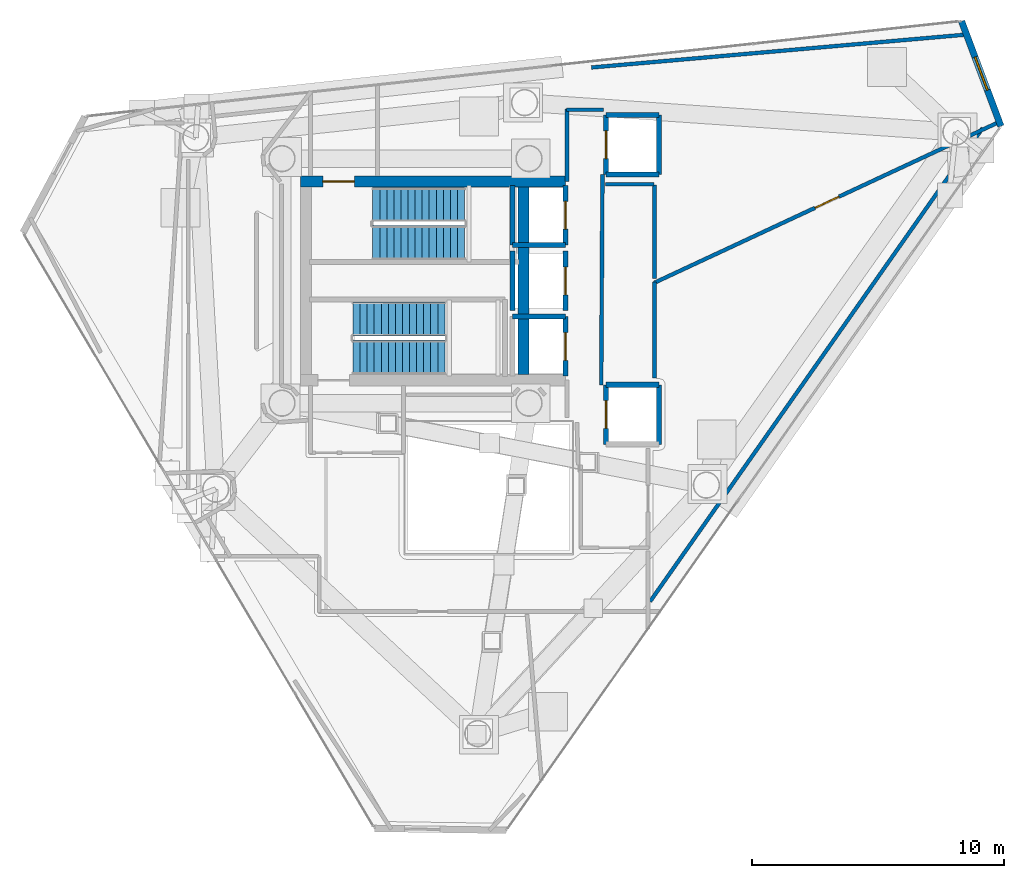
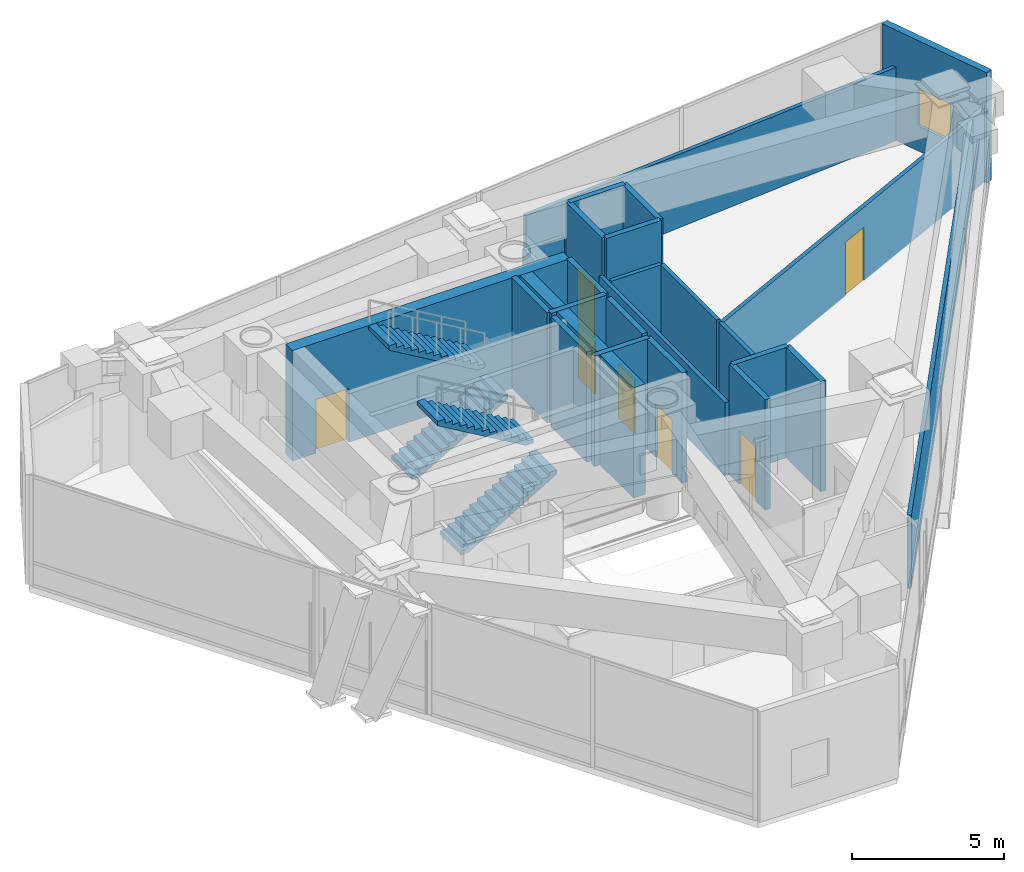
# One storey, part 19 of 21: 26 walls, 7 doors, 4 stair flights, 1 window, 8 openings, 2 elements without a shape of their own.
"""IFC4 building model written with IfcOpenShell, lengths in metres."""

from ifc_helpers import new_model, si_unit, direction, frame, frame_2d, origin, place, context, subcontext, project, spatial, polyline, rectangle, outline, extrude, material, layer, layer_set, type_object, element, fill, aggregate, save


model = new_model("IFC4")

# Units and contexts
model_context = context("Model", 3, precision=1e-05, world=origin(), true_north=direction((0.0, 1.0)))
body_context = subcontext(model_context, "Body", "Model", "MODEL_VIEW")
ifc_project = project(units=[si_unit("LENGTHUNIT", "METRE"), si_unit("AREAUNIT", "SQUARE_METRE"), si_unit("VOLUMEUNIT", "CUBIC_METRE"), si_unit("PLANEANGLEUNIT", "RADIAN"), si_unit("MASSUNIT", "GRAM", prefix="KILO")], contexts=[model_context])

# Site, building, storey
site_placement = place(None, origin())
site = spatial("IfcSite", under=ifc_project, at=site_placement, CompositionType="ELEMENT")
building_placement = place(site_placement, origin())
building = spatial("IfcBuilding", under=site, at=building_placement, Name="Qianvela Tower", CompositionType="ELEMENT")
storey_placement = place(building_placement, frame((0.0, 0.0, 276.0)))
storey = spatial("IfcBuildingStorey", under=building, at=storey_placement, Name="L71", CompositionType="ELEMENT", Elevation=276.0)

# Wall, opening, window
ifc_material_1 = material(Name="Terracotta Cladding on Concrete C40", Category="masonry")
ifc_layer_1 = layer(ifc_material_1, 0.260009765625)
ifc_layer_set_1 = layer_set([ifc_layer_1], Name="Terracotta Cladding on Concrete C40")
wall_type_1 = type_object("IfcWallType", Name="TERRACOTTA-WALL-260", PredefinedType="SOLIDWALL", material=ifc_layer_set_1)
wall_1_placement = place(storey_placement, frame((57.119873046875, 34.835693359375, 0.0), z_axis=(0.0, 0.0, 1.0), x_axis=(-0.350828926288, 0.93643956798, 0.0)))
wall_1 = element("IfcWall", 1, at=wall_1_placement, inside=storey, type_object=wall_type_1, Name="L71 Terracotta Chamfer Facet Wall 1", PredefinedType="SOLIDWALL", context=body_context, shape_type="SweptSolid", body=[
    extrude(rectangle(XDim=4.45166015625, YDim=0.260009765625, at=frame_2d((2.225830078125, 0.0))), origin(), (0.0, 0.0, 1.0), 4.419921875),
])
opening_1_placement = place(wall_1_placement, frame((1.52587890625, 0.0, 1.0)))
opening_1 = element("IfcOpeningElement", 2, at=opening_1_placement, cuts=wall_1, Name="Opening W-06", PredefinedType="OPENING", context=body_context, shape_type="SweptSolid", body=[
    extrude(rectangle(XDim=1.39990234375, YDim=1.5, at=frame_2d((0.699951171875, 0.75))), frame((0.0, 0.139892578125, 0.0), z_axis=(0.0, -1.0, 0.0), x_axis=(1.0, 0.0, 0.0)), (0.0, 0.0, 1.0), 0.280029296875),
])
ifc_material_2 = material(Name="Thermally Broken Aluminium and Low-E Glass", Category="aluminium")
window_type = type_object("IfcWindowType", Name="WIN-REF-1400x1500", PartitioningType="SINGLE_PANEL", PredefinedType="WINDOW", material=ifc_material_2)
window_placement = place(opening_1_placement, origin())
window = element("IfcWindow", 3, at=window_placement, inside=storey, type_object=window_type, Name="L71 Chamfer Facet Window 1.1", OverallHeight=1.5, OverallWidth=1.39990234375, PartitioningType="SINGLE_PANEL", PredefinedType="WINDOW", context=body_context, shape_type="SweptSolid", body=[
    extrude(rectangle(XDim=1.39990234375, YDim=1.5, at=frame_2d((0.699951171875, 0.75))), frame((0.0, 0.030029296875, 0.0), z_axis=(0.0, -1.0, 0.0), x_axis=(1.0, 0.0, 0.0)), (0.0, 0.0, 1.0), 0.06005859375),
])
fill(opening_1, window)

# Wall, opening, door
ifc_material_3 = material(Name="Concrete C50", Category="concrete")
ifc_layer_2 = layer(ifc_material_3, 0.449951171875)
ifc_layer_set_2 = layer_set([ifc_layer_2], Name="Concrete C50")
wall_type_2 = type_object("IfcWallType", Name="WT-CORE-450", PredefinedType="SHEAR", material=ifc_layer_set_2)
wall_2_placement = place(storey_placement, frame((29.330078125, 32.64501953125, 0.0), z_axis=(0.0, 0.0, 1.0), x_axis=(1.0, 0.0, 0.0)))
wall_2 = element("IfcWall", 4, at=wall_2_placement, inside=storey, type_object=wall_type_2, Name="L71 North Core Shear Wall", PredefinedType="SHEAR", context=body_context, shape_type="SweptSolid", body=[
    extrude(rectangle(XDim=10.52001953125, YDim=0.449951171875, at=frame_2d((5.260009765625, 0.0))), origin(), (0.0, 0.0, 1.0), 4.419921875),
])
opening_2_placement = place(wall_2_placement, frame((0.89501953125, 0.0, 0.0)))
opening_2 = element("IfcOpeningElement", 5, at=opening_2_placement, cuts=wall_2, Name="Opening D-ST1", PredefinedType="OPENING", context=body_context, shape_type="SweptSolid", body=[
    extrude(rectangle(XDim=1.25, YDim=2.14990234375, at=frame_2d((0.625, 1.074951171875))), frame((0.0, 0.23486328125, 0.0), z_axis=(0.0, -1.0, 0.0), x_axis=(1.0, 0.0, 0.0)), (0.0, 0.0, 1.0), 0.469970703125),
])
ifc_material_4 = material(Name="Galvanised Fire Steel Q355B", Category="steel")
door_type_1 = type_object("IfcDoorType", Name="DT-STAIR-FD90", OperationType="NOTDEFINED", PredefinedType="DOOR", material=ifc_material_4)
door_1_placement = place(opening_2_placement, origin())
door_1 = element("IfcDoor", 6, at=door_1_placement, inside=storey, type_object=door_type_1, Name="L71 Stair ST-1 Exit Door", OperationType="SINGLE_SWING_RIGHT", OverallHeight=2.14990234375, OverallWidth=1.25, PredefinedType="DOOR", context=body_context, shape_type="SweptSolid", body=[
    extrude(rectangle(XDim=1.25, YDim=2.14990234375, at=frame_2d((0.625, 1.074951171875))), frame((0.0, 0.02490234375, 0.0), z_axis=(0.0, -1.0, 0.0), x_axis=(1.0, 0.0, 0.0)), (0.0, 0.0, 1.0), 0.050048828125),
])
fill(opening_2, door_1)

# Walls
wall_3_placement = place(storey_placement, frame((38.179931640625, 24.97998046875, 0.0), z_axis=(0.0, 0.0, 1.0), x_axis=(0.0, 1.0, 0.0)))
element("IfcWall", 7, at=wall_3_placement, inside=storey, type_object=wall_type_2, Name="L71 East Spine Core Shear Wall", PredefinedType="SHEAR", context=body_context, shape_type="SweptSolid", body=[
    extrude(rectangle(XDim=7.43994140625, YDim=0.449951171875, at=frame_2d((3.719970703125, 0.0))), origin(), (0.0, 0.0, 1.0), 4.419921875),
])
ifc_material_5 = material(Name="Fire-Rated Acoustic Gypsum Board")
ifc_layer_3 = layer(ifc_material_5, 0.14990234375)
ifc_layer_set_3 = layer_set([ifc_layer_3], Name="Fire-Rated Acoustic Gypsum Board")
wall_type_3 = type_object("IfcWallType", Name="WT-CORR-150", PredefinedType="PARTITIONING", material=ifc_layer_set_3)
wall_4_placement = place(storey_placement, frame((39.910888671875, 32.639892578125, 0.0), z_axis=(0.0, 0.0, 1.0), x_axis=(0.0, 1.0, 0.0)))
element("IfcWall", 8, at=wall_4_placement, inside=storey, type_object=wall_type_3, Name="L71 Partition 12", PredefinedType="PARTITIONING", context=body_context, shape_type="SweptSolid", body=[
    extrude(rectangle(XDim=2.880126953125, YDim=0.14990234375, at=frame_2d((1.43994140625, 0.0))), origin(), (0.0, 0.0, 1.0), 2.93994140625),
])
wall_5_placement = place(storey_placement, frame((39.8798828125, 35.489013671875, 0.0), z_axis=(0.0, 0.0, 1.0), x_axis=(1.0, 0.0, 0.0)))
element("IfcWall", 9, at=wall_5_placement, inside=storey, type_object=wall_type_3, Name="L71 Partition 13", PredefinedType="PARTITIONING", context=body_context, shape_type="SweptSolid", body=[
    extrude(rectangle(XDim=1.480224609375, YDim=0.14990234375, at=frame_2d((0.740234375, 0.0))), origin(), (0.0, 0.0, 1.0), 2.93994140625),
])
wall_6_placement = place(storey_placement, frame((41.3134765625, 32.919921875, 0.0), z_axis=(0.0, 0.0, 1.0), x_axis=(-0.005942518022, -0.999982343084, 0.0)))
element("IfcWall", 10, at=wall_6_placement, inside=storey, type_object=wall_type_3, Name="L71 Partition 14 seg 2", PredefinedType="PARTITIONING", context=body_context, shape_type="SweptSolid", body=[
    extrude(rectangle(XDim=8.340087890625, YDim=0.14990234375, at=frame_2d((4.169921875, 0.0))), origin(), (0.0, 0.0, 1.0), 2.93994140625),
])
wall_7_placement = place(storey_placement, frame((43.381103515625, 24.85009765625, 0.0), z_axis=(0.0, 0.0, 1.0), x_axis=(0.0, 1.0, 0.0)))
element("IfcWall", 11, at=wall_7_placement, inside=storey, type_object=wall_type_3, Name="L71 Partition 81", PredefinedType="PARTITIONING", context=body_context, shape_type="SweptSolid", body=[
    extrude(rectangle(XDim=3.800537109375, YDim=0.14990234375, at=frame_2d((1.900390625, 0.0))), origin(), (0.0, 0.0, 1.0), 2.93994140625),
])

# Wall, opening, door
wall_8_placement = place(storey_placement, frame((43.363037109375, 28.62255859375, 0.0), z_axis=(0.0, 0.0, 1.0), x_axis=(0.90631008508, 0.422613333535, 0.0)))
wall_8 = element("IfcWall", 12, at=wall_8_placement, inside=storey, type_object=wall_type_3, Name="L71 Partition 82", PredefinedType="PARTITIONING", context=body_context, shape_type="SweptSolid", body=[
    extrude(rectangle(XDim=15.1279296875, YDim=0.14990234375, at=frame_2d((7.56396484375, 0.0))), origin(), (0.0, 0.0, 1.0), 2.93994140625),
])
opening_3_placement = place(wall_8_placement, frame((7.0390625, 0.0, 0.0)))
opening_3 = element("IfcOpeningElement", 13, at=opening_3_placement, cuts=wall_8, Name="Opening D-PL1", PredefinedType="OPENING", context=body_context, shape_type="SweptSolid", body=[
    extrude(rectangle(XDim=1.050048828125, YDim=2.14990234375, at=frame_2d((0.52490234375, 1.074951171875))), frame((0.0, 0.0849609375, 0.0), z_axis=(0.0, -1.0, 0.0), x_axis=(1.0, 0.0, 0.0)), (0.0, 0.0, 1.0), 0.169921875),
])
ifc_material_6 = material(Name="Insulated Steel Fire Door Q355B", Category="steel")
door_type_2 = type_object("IfcDoorType", Name="DT-PLANT-FD90", OperationType="NOTDEFINED", PredefinedType="DOOR", material=ifc_material_6)
door_2_placement = place(opening_3_placement, origin())
door_2 = element("IfcDoor", 14, at=door_2_placement, inside=storey, type_object=door_type_2, Name="L71 Door L71 Air Handling and Smoke Exhaust Plant Room to L71 Hydronic Heat Exchanger and Fire Pump Room", OperationType="SINGLE_SWING_RIGHT", OverallHeight=2.14990234375, OverallWidth=1.050048828125, PredefinedType="DOOR", context=body_context, shape_type="SweptSolid", body=[
    extrude(rectangle(XDim=1.050048828125, YDim=2.14990234375, at=frame_2d((0.52490234375, 1.074951171875))), frame((0.0, 0.02490234375, 0.0), z_axis=(0.0, -1.0, 0.0), x_axis=(1.0, 0.0, 0.0)), (0.0, 0.0, 1.0), 0.050048828125),
])
fill(opening_3, door_2)

# Walls
wall_9_placement = place(storey_placement, frame((56.39599609375, 34.763916015625, 0.0), z_axis=(0.0, 0.0, 1.0), x_axis=(-0.574813853257, -0.818284201304, 0.0)))
element("IfcWall", 15, at=wall_9_placement, inside=storey, type_object=wall_type_3, Name="L71 Partition 83", PredefinedType="PARTITIONING", context=body_context, shape_type="SweptSolid", body=[
    extrude(rectangle(XDim=22.948974609375, YDim=0.14990234375, at=frame_2d((11.474609375, 0.0))), origin(), (0.0, 0.0, 1.0), 2.93994140625),
])
wall_10_placement = place(storey_placement, frame((40.872802734375, 37.165771484375, 0.0), z_axis=(0.0, 0.0, 1.0), x_axis=(0.99617083552, 0.087428064483, 0.0)))
element("IfcWall", 16, at=wall_10_placement, inside=storey, type_object=wall_type_3, Name="L71 Partition 98 seg 1", PredefinedType="PARTITIONING", context=body_context, shape_type="SweptSolid", body=[
    extrude(rectangle(XDim=14.962158203125, YDim=0.14990234375, at=frame_2d((7.48095703125, 0.0))), origin(), (0.0, 0.0, 1.0), 2.93994140625),
])
wall_11_placement = place(storey_placement, frame((43.381103515625, 28.80517578125, 0.0), z_axis=(0.0, 0.0, 1.0), x_axis=(0.0, 1.0, 0.0)))
element("IfcWall", 17, at=wall_11_placement, inside=storey, type_object=wall_type_3, Name="L71 Partition 101", PredefinedType="PARTITIONING", context=body_context, shape_type="SweptSolid", body=[
    extrude(rectangle(XDim=3.69482421875, YDim=0.14990234375, at=frame_2d((1.847412109375, 0.0))), origin(), (0.0, 0.0, 1.0), 2.93994140625),
])
wall_12_placement = place(storey_placement, frame((43.35009765625, 32.531005859375, 0.0), z_axis=(0.0, 0.0, 1.0), x_axis=(-1.0, 0.0, 0.0)))
element("IfcWall", 18, at=wall_12_placement, inside=storey, type_object=wall_type_3, Name="L71 Partition 102", PredefinedType="PARTITIONING", context=body_context, shape_type="SweptSolid", body=[
    extrude(rectangle(XDim=1.91015625, YDim=0.14990234375, at=frame_2d((0.955078125, 0.0))), origin(), (0.0, 0.0, 1.0), 2.93994140625),
])

# Wall, opening, door
ifc_material_7 = material(Name="Concrete C50", Category="concrete")
ifc_layer_4 = layer(ifc_material_7, 0.199951171875)
ifc_layer_set_4 = layer_set([ifc_layer_4], Name="Concrete C50")
wall_type_4 = type_object("IfcWallType", Name="WT-SHAFT-200", PredefinedType="SOLIDWALL", material=ifc_layer_set_4)
wall_13_placement = place(storey_placement, frame((39.85009765625, 30.1201171875, 0.0), z_axis=(0.0, 0.0, 1.0), x_axis=(0.0, 1.0, 0.0)))
wall_13 = element("IfcWall", 19, at=wall_13_placement, inside=storey, type_object=wall_type_4, Name="L71 Lift FL-1 E Shaft Wall", PredefinedType="SOLIDWALL", context=body_context, shape_type="SweptSolid", body=[
    extrude(rectangle(XDim=2.35986328125, YDim=0.199951171875, at=frame_2d((1.179931640625, 0.0))), origin(), (0.0, 0.0, 1.0), 4.419921875),
])
opening_4_placement = place(wall_13_placement, frame((0.6298828125, 0.0, 0.0)))
opening_4 = element("IfcOpeningElement", 20, at=opening_4_placement, cuts=wall_13, Name="Opening LD-01", PredefinedType="OPENING", context=body_context, shape_type="SweptSolid", body=[
    extrude(rectangle(XDim=1.10009765625, YDim=2.14990234375, at=frame_2d((0.550048828125, 1.074951171875))), frame((0.0, 0.10986328125, 0.0), z_axis=(0.0, -1.0, 0.0), x_axis=(1.0, 0.0, 0.0)), (0.0, 0.0, 1.0), 0.219970703125),
])
ifc_material_8 = material(Name="Brushed Stainless Steel Lift Landing Door", Category="steel")
door_type_3 = type_object("IfcDoorType", Name="DT-LIFT-SLIDE-1100", OperationType="SLIDING_TO_LEFT", PredefinedType="DOOR", material=ifc_material_8)
door_3_placement = place(opening_4_placement, origin())
door_3 = element("IfcDoor", 21, at=door_3_placement, inside=storey, type_object=door_type_3, Name="L71 Lift FL-1 Sliding Landing Door", OperationType="SLIDING_TO_LEFT", OverallHeight=2.14990234375, OverallWidth=1.10009765625, PredefinedType="DOOR", context=body_context, shape_type="SweptSolid", body=[
    extrude(rectangle(XDim=1.10009765625, YDim=2.14990234375, at=frame_2d((0.550048828125, 1.074951171875))), frame((0.0, 0.02490234375, 0.0), z_axis=(0.0, -1.0, 0.0), x_axis=(1.0, 0.0, 0.0)), (0.0, 0.0, 1.0), 0.050048828125),
])
fill(opening_4, door_3)

# Walls
wall_14_placement = place(storey_placement, frame((37.75, 30.1201171875, 0.0), z_axis=(0.0, 0.0, 1.0), x_axis=(0.0, 1.0, 0.0)))
element("IfcWall", 22, at=wall_14_placement, inside=storey, type_object=wall_type_4, Name="L71 Lift FL-1 W Shaft Wall", PredefinedType="SOLIDWALL", context=body_context, shape_type="SweptSolid", body=[
    extrude(rectangle(XDim=2.35986328125, YDim=0.199951171875, at=frame_2d((1.179931640625, 0.0))), origin(), (0.0, 0.0, 1.0), 4.419921875),
])
wall_15_placement = place(storey_placement, frame((37.75, 30.1201171875, 0.0), z_axis=(0.0, 0.0, 1.0), x_axis=(1.0, 0.0, 0.0)))
element("IfcWall", 23, at=wall_15_placement, inside=storey, type_object=wall_type_4, Name="L71 Lift FL-1 S Shaft Wall", PredefinedType="SOLIDWALL", context=body_context, shape_type="SweptSolid", body=[
    extrude(rectangle(XDim=2.10009765625, YDim=0.199951171875, at=frame_2d((1.050048828125, 0.0))), origin(), (0.0, 0.0, 1.0), 4.419921875),
])

# Wall, opening, door
wall_16_placement = place(storey_placement, frame((39.85009765625, 24.919921875, 0.0), z_axis=(0.0, 0.0, 1.0), x_axis=(0.0, 1.0, 0.0)))
wall_16 = element("IfcWall", 24, at=wall_16_placement, inside=storey, type_object=wall_type_4, Name="L71 Lift FL-2 E Shaft Wall", PredefinedType="SOLIDWALL", context=body_context, shape_type="SweptSolid", body=[
    extrude(rectangle(XDim=2.360107421875, YDim=0.199951171875, at=frame_2d((1.18017578125, 0.0))), origin(), (0.0, 0.0, 1.0), 4.419921875),
])
opening_5_placement = place(wall_16_placement, frame((0.6298828125, 0.0, 0.0)))
opening_5 = element("IfcOpeningElement", 25, at=opening_5_placement, cuts=wall_16, Name="Opening LD-01", PredefinedType="OPENING", context=body_context, shape_type="SweptSolid", body=[
    extrude(rectangle(XDim=1.10009765625, YDim=2.14990234375, at=frame_2d((0.550048828125, 1.074951171875))), frame((0.0, 0.10986328125, 0.0), z_axis=(0.0, -1.0, 0.0), x_axis=(1.0, 0.0, 0.0)), (0.0, 0.0, 1.0), 0.219970703125),
])
door_4_placement = place(opening_5_placement, origin())
door_4 = element("IfcDoor", 26, at=door_4_placement, inside=storey, type_object=door_type_3, Name="L71 Lift FL-2 Sliding Landing Door", OperationType="SLIDING_TO_LEFT", OverallHeight=2.14990234375, OverallWidth=1.10009765625, PredefinedType="DOOR", context=body_context, shape_type="SweptSolid", body=[
    extrude(rectangle(XDim=1.10009765625, YDim=2.14990234375, at=frame_2d((0.550048828125, 1.074951171875))), frame((0.0, 0.02490234375, 0.0), z_axis=(0.0, -1.0, 0.0), x_axis=(1.0, 0.0, 0.0)), (0.0, 0.0, 1.0), 0.050048828125),
])
fill(opening_5, door_4)

# Wall
wall_17_placement = place(storey_placement, frame((37.75, 27.280029296875, 0.0), z_axis=(0.0, 0.0, 1.0), x_axis=(1.0, 0.0, 0.0)))
element("IfcWall", 27, at=wall_17_placement, inside=storey, type_object=wall_type_4, Name="L71 Lift FL-2 N Shaft Wall", PredefinedType="SOLIDWALL", context=body_context, shape_type="SweptSolid", body=[
    extrude(rectangle(XDim=2.10009765625, YDim=0.199951171875, at=frame_2d((1.050048828125, 0.0))), origin(), (0.0, 0.0, 1.0), 4.419921875),
])

# Wall, opening, door
wall_18_placement = place(storey_placement, frame((39.85009765625, 27.52001953125, 0.0), z_axis=(0.0, 0.0, 1.0), x_axis=(0.0, 1.0, 0.0)))
wall_18 = element("IfcWall", 28, at=wall_18_placement, inside=storey, type_object=wall_type_4, Name="L71 Lift PL-H1 E Shaft Wall", PredefinedType="SOLIDWALL", context=body_context, shape_type="SweptSolid", body=[
    extrude(rectangle(XDim=2.35986328125, YDim=0.199951171875, at=frame_2d((1.179931640625, 0.0))), origin(), (0.0, 0.0, 1.0), 4.419921875),
])
opening_6_placement = place(wall_18_placement, frame((0.6298828125, 0.0, 0.0)))
opening_6 = element("IfcOpeningElement", 29, at=opening_6_placement, cuts=wall_18, Name="Opening LD-01", PredefinedType="OPENING", context=body_context, shape_type="SweptSolid", body=[
    extrude(rectangle(XDim=1.10009765625, YDim=2.14990234375, at=frame_2d((0.550048828125, 1.074951171875))), frame((0.0, 0.10986328125, 0.0), z_axis=(0.0, -1.0, 0.0), x_axis=(1.0, 0.0, 0.0)), (0.0, 0.0, 1.0), 0.219970703125),
])
door_5_placement = place(opening_6_placement, origin())
door_5 = element("IfcDoor", 30, at=door_5_placement, inside=storey, type_object=door_type_3, Name="L71 Lift PL-H1 Sliding Landing Door", OperationType="SLIDING_TO_LEFT", OverallHeight=2.14990234375, OverallWidth=1.10009765625, PredefinedType="DOOR", context=body_context, shape_type="SweptSolid", body=[
    extrude(rectangle(XDim=1.10009765625, YDim=2.14990234375, at=frame_2d((0.550048828125, 1.074951171875))), frame((0.0, 0.02490234375, 0.0), z_axis=(0.0, -1.0, 0.0), x_axis=(1.0, 0.0, 0.0)), (0.0, 0.0, 1.0), 0.050048828125),
])
fill(opening_6, door_5)

# Walls
wall_19_placement = place(storey_placement, frame((37.75, 27.52001953125, 0.0), z_axis=(0.0, 0.0, 1.0), x_axis=(0.0, 1.0, 0.0)))
element("IfcWall", 31, at=wall_19_placement, inside=storey, type_object=wall_type_4, Name="L71 Lift PL-H1 W Shaft Wall", PredefinedType="SOLIDWALL", context=body_context, shape_type="SweptSolid", body=[
    extrude(rectangle(XDim=2.35986328125, YDim=0.199951171875, at=frame_2d((1.179931640625, 0.0))), origin(), (0.0, 0.0, 1.0), 4.419921875),
])
wall_20_placement = place(storey_placement, frame((43.550048828125, 22.219970703125, 0.0), z_axis=(0.0, 0.0, 1.0), x_axis=(0.0, 1.0, 0.0)))
element("IfcWall", 32, at=wall_20_placement, inside=storey, type_object=wall_type_4, Name="L71 Lift PL-H2 E Shaft Wall", PredefinedType="SOLIDWALL", context=body_context, shape_type="SweptSolid", body=[
    extrude(rectangle(XDim=2.360107421875, YDim=0.199951171875, at=frame_2d((1.18017578125, 0.0))), origin(), (0.0, 0.0, 1.0), 4.419921875),
])

# Wall, opening, door
wall_21_placement = place(storey_placement, frame((41.449951171875, 22.219970703125, 0.0), z_axis=(0.0, 0.0, 1.0), x_axis=(0.0, 1.0, 0.0)))
wall_21 = element("IfcWall", 33, at=wall_21_placement, inside=storey, type_object=wall_type_4, Name="L71 Lift PL-H2 W Shaft Wall", PredefinedType="SOLIDWALL", context=body_context, shape_type="SweptSolid", body=[
    extrude(rectangle(XDim=2.360107421875, YDim=0.199951171875, at=frame_2d((1.18017578125, 0.0))), origin(), (0.0, 0.0, 1.0), 4.419921875),
])
opening_7_placement = place(wall_21_placement, frame((0.6298828125, 0.0, 0.0)))
opening_7 = element("IfcOpeningElement", 34, at=opening_7_placement, cuts=wall_21, Name="Opening LD-01", PredefinedType="OPENING", context=body_context, shape_type="SweptSolid", body=[
    extrude(rectangle(XDim=1.10009765625, YDim=2.14990234375, at=frame_2d((0.550048828125, 1.074951171875))), frame((0.0, 0.10986328125, 0.0), z_axis=(0.0, -1.0, 0.0), x_axis=(1.0, 0.0, 0.0)), (0.0, 0.0, 1.0), 0.219970703125),
])
door_6_placement = place(opening_7_placement, origin())
door_6 = element("IfcDoor", 35, at=door_6_placement, inside=storey, type_object=door_type_3, Name="L71 Lift PL-H2 Sliding Landing Door", OperationType="SLIDING_TO_LEFT", OverallHeight=2.14990234375, OverallWidth=1.10009765625, PredefinedType="DOOR", context=body_context, shape_type="SweptSolid", body=[
    extrude(rectangle(XDim=1.10009765625, YDim=2.14990234375, at=frame_2d((0.550048828125, 1.074951171875))), frame((0.0, 0.02490234375, 0.0), z_axis=(0.0, -1.0, 0.0), x_axis=(1.0, 0.0, 0.0)), (0.0, 0.0, 1.0), 0.050048828125),
])
fill(opening_7, door_6)

# Walls
wall_22_placement = place(storey_placement, frame((41.449951171875, 24.580078125, 0.0), z_axis=(0.0, 0.0, 1.0), x_axis=(1.0, 0.0, 0.0)))
element("IfcWall", 36, at=wall_22_placement, inside=storey, type_object=wall_type_4, Name="L71 Lift PL-H2 N Shaft Wall", PredefinedType="SOLIDWALL", context=body_context, shape_type="SweptSolid", body=[
    extrude(rectangle(XDim=2.10009765625, YDim=0.199951171875, at=frame_2d((1.050048828125, 0.0))), origin(), (0.0, 0.0, 1.0), 4.419921875),
])
wall_23_placement = place(storey_placement, frame((43.550048828125, 32.919921875, 0.0), z_axis=(0.0, 0.0, 1.0), x_axis=(0.0, 1.0, 0.0)))
element("IfcWall", 37, at=wall_23_placement, inside=storey, type_object=wall_type_4, Name="L71 Lift PL-H3 E Shaft Wall", PredefinedType="SOLIDWALL", context=body_context, shape_type="SweptSolid", body=[
    extrude(rectangle(XDim=2.360107421875, YDim=0.199951171875, at=frame_2d((1.18017578125, 0.0))), origin(), (0.0, 0.0, 1.0), 4.419921875),
])

# Wall, opening, door
wall_24_placement = place(storey_placement, frame((41.449951171875, 32.919921875, 0.0), z_axis=(0.0, 0.0, 1.0), x_axis=(0.0, 1.0, 0.0)))
wall_24 = element("IfcWall", 38, at=wall_24_placement, inside=storey, type_object=wall_type_4, Name="L71 Lift PL-H3 W Shaft Wall", PredefinedType="SOLIDWALL", context=body_context, shape_type="SweptSolid", body=[
    extrude(rectangle(XDim=2.360107421875, YDim=0.199951171875, at=frame_2d((1.18017578125, 0.0))), origin(), (0.0, 0.0, 1.0), 4.419921875),
])
opening_8_placement = place(wall_24_placement, frame((0.6298828125, 0.0, 0.0)))
opening_8 = element("IfcOpeningElement", 39, at=opening_8_placement, cuts=wall_24, Name="Opening LD-01", PredefinedType="OPENING", context=body_context, shape_type="SweptSolid", body=[
    extrude(rectangle(XDim=1.10009765625, YDim=2.14990234375, at=frame_2d((0.550048828125, 1.074951171875))), frame((0.0, 0.10986328125, 0.0), z_axis=(0.0, -1.0, 0.0), x_axis=(1.0, 0.0, 0.0)), (0.0, 0.0, 1.0), 0.219970703125),
])
door_7_placement = place(opening_8_placement, origin())
door_7 = element("IfcDoor", 40, at=door_7_placement, inside=storey, type_object=door_type_3, Name="L71 Lift PL-H3 Sliding Landing Door", OperationType="SLIDING_TO_LEFT", OverallHeight=2.14990234375, OverallWidth=1.10009765625, PredefinedType="DOOR", context=body_context, shape_type="SweptSolid", body=[
    extrude(rectangle(XDim=1.10009765625, YDim=2.14990234375, at=frame_2d((0.550048828125, 1.074951171875))), frame((0.0, 0.02490234375, 0.0), z_axis=(0.0, -1.0, 0.0), x_axis=(1.0, 0.0, 0.0)), (0.0, 0.0, 1.0), 0.050048828125),
])
fill(opening_8, door_7)

# Walls
for number, where, z_axis, x_axis, name in (
    (41, (41.449951171875, 35.280029296875, 0.0), (0.0, 0.0, 1.0), (1.0, 0.0, 0.0), "L71 Lift PL-H3 N Shaft Wall"),
    (42, (41.449951171875, 32.919921875, 0.0), (0.0, 0.0, 1.0), (1.0, 0.0, 0.0), "L71 Lift PL-H3 S Shaft Wall"),
):
    element("IfcWall", number, at=place(storey_placement, frame(where, z_axis=z_axis, x_axis=x_axis)), inside=storey, type_object=wall_type_4, Name=name, PredefinedType="SOLIDWALL", context=body_context, shape_type="SweptSolid", body=[
        extrude(rectangle(XDim=2.10009765625, YDim=0.199951171875, at=frame_2d((1.050048828125, 0.0))), origin(), (0.0, 0.0, 1.0), 4.419921875),
    ])

# Stair, stair flights
ifc_material_9 = material(Name="Concrete C40", Category="concrete")
stair_type = type_object("IfcStairType", Name="ST-DOGLEG-1350-R164-N28", PredefinedType="HALF_TURN_STAIR", material=ifc_material_9)
stair_1_placement = place(storey_placement, origin())
stair_1 = element("IfcStair", 43, at=stair_1_placement, inside=storey, type_object=stair_type, Name="L71 Smoke-Proof Core Stair ST-1", PredefinedType="HALF_TURN_STAIR")
ifc_material_10 = material(Name="Concrete C40", Category="concrete")
stair_flight_type = type_object("IfcStairFlightType", Name="STF-STRAIGHT-R164-P14", PredefinedType="STRAIGHT", material=ifc_material_10)
stair_flight_1_placement = place(storey_placement, frame((32.199951171875, 30.215087890625, 0.0), z_axis=(0.0, 0.0, 1.0), x_axis=(1.0, 0.0, 0.0)))
stair_flight_1 = element("IfcStairFlight", 44, at=stair_flight_1_placement, type_object=stair_flight_type, Name="ST-1 flight 1", NumberOfRisers=14, NumberOfTreads=13, PredefinedType="STRAIGHT", RiserHeight=0.164285714, TreadLength=0.28, context=body_context, shape_type="SweptSolid", body=[
    extrude(outline(polyline([(0.0, 0.0), (0.0, 0.164306640625), (0.280029296875, 0.164306640625), (0.280029296875, 0.32861328125), (0.56005859375, 0.32861328125), (0.56005859375, 0.492919921875), (0.840087890625, 0.492919921875), (0.840087890625, 0.6572265625), (1.1201171875, 0.6572265625), (1.1201171875, 0.821533203125), (1.39990234375, 0.821533203125), (1.39990234375, 0.985595703125), (1.679931640625, 0.985595703125), (1.679931640625, 1.14990234375), (1.9599609375, 1.14990234375), (1.9599609375, 1.314208984375), (2.239990234375, 1.314208984375), (2.239990234375, 1.478515625), (2.52001953125, 1.478515625), (2.52001953125, 1.642822265625), (2.800048828125, 1.642822265625), (2.800048828125, 1.80712890625), (3.080078125, 1.80712890625), (3.080078125, 1.971435546875), (3.360107421875, 1.971435546875), (3.360107421875, 2.1357421875), (3.639892578125, 2.1357421875), (3.639892578125, 2.300048828125), (3.639892578125, 1.9619140625), (0.296142578125, 0.0), (0.0, 0.0)])), frame((0.0, 0.675048828125, 0.0), z_axis=(0.0, -1.0, 0.0), x_axis=(1.0, 0.0, 0.0)), (0.0, 0.0, 1.0), 1.35009765625),
])
stair_flight_2_placement = place(storey_placement, frame((35.840087890625, 31.72509765625, 2.300048828125), z_axis=(0.0, 0.0, 1.0), x_axis=(-1.0, 0.0, 0.0)))
stair_flight_2 = element("IfcStairFlight", 45, at=stair_flight_2_placement, type_object=stair_flight_type, Name="ST-1 flight 2", NumberOfRisers=14, NumberOfTreads=13, PredefinedType="STRAIGHT", RiserHeight=0.164285714, TreadLength=0.28, context=body_context, shape_type="SweptSolid", body=[
    extrude(outline(polyline([(0.0, 0.0), (0.0, 0.164306640625), (0.280029296875, 0.164306640625), (0.280029296875, 0.32861328125), (0.56005859375, 0.32861328125), (0.56005859375, 0.492919921875), (0.840087890625, 0.492919921875), (0.840087890625, 0.6572265625), (1.1201171875, 0.6572265625), (1.1201171875, 0.821533203125), (1.39990234375, 0.821533203125), (1.39990234375, 0.985595703125), (1.679931640625, 0.985595703125), (1.679931640625, 1.14990234375), (1.9599609375, 1.14990234375), (1.9599609375, 1.314208984375), (2.239990234375, 1.314208984375), (2.239990234375, 1.478515625), (2.52001953125, 1.478515625), (2.52001953125, 1.642822265625), (2.800048828125, 1.642822265625), (2.800048828125, 1.80712890625), (3.080078125, 1.80712890625), (3.080078125, 1.971435546875), (3.360107421875, 1.971435546875), (3.360107421875, 2.1357421875), (3.639892578125, 2.1357421875), (3.639892578125, 2.300048828125), (3.639892578125, 1.9619140625), (0.296142578125, 0.0), (0.0, 0.0)])), frame((0.0, 0.675048828125, 0.0), z_axis=(0.0, -1.0, 0.0), x_axis=(1.0, 0.0, 0.0)), (0.0, 0.0, 1.0), 1.35009765625),
])
aggregate(stair_1, [stair_flight_1, stair_flight_2])

stair_2_placement = place(storey_placement, origin())
stair_2 = element("IfcStair", 46, at=stair_2_placement, inside=storey, type_object=stair_type, Name="L71 Smoke-Proof Core Stair ST-2", PredefinedType="HALF_TURN_STAIR")
stair_flight_3_placement = place(storey_placement, frame((31.419921875, 25.675048828125, 0.0), z_axis=(0.0, 0.0, 1.0), x_axis=(1.0, 0.0, 0.0)))
stair_flight_3 = element("IfcStairFlight", 47, at=stair_flight_3_placement, type_object=stair_flight_type, Name="ST-2 flight 1", NumberOfRisers=14, NumberOfTreads=13, PredefinedType="STRAIGHT", RiserHeight=0.164285714, TreadLength=0.28, context=body_context, shape_type="SweptSolid", body=[
    extrude(outline(polyline([(0.0, 0.0), (0.0, 0.164306640625), (0.280029296875, 0.164306640625), (0.280029296875, 0.32861328125), (0.56005859375, 0.32861328125), (0.56005859375, 0.492919921875), (0.840087890625, 0.492919921875), (0.840087890625, 0.6572265625), (1.1201171875, 0.6572265625), (1.1201171875, 0.821533203125), (1.39990234375, 0.821533203125), (1.39990234375, 0.985595703125), (1.679931640625, 0.985595703125), (1.679931640625, 1.14990234375), (1.9599609375, 1.14990234375), (1.9599609375, 1.314208984375), (2.239990234375, 1.314208984375), (2.239990234375, 1.478515625), (2.52001953125, 1.478515625), (2.52001953125, 1.642822265625), (2.800048828125, 1.642822265625), (2.800048828125, 1.80712890625), (3.080078125, 1.80712890625), (3.080078125, 1.971435546875), (3.360107421875, 1.971435546875), (3.360107421875, 2.1357421875), (3.639892578125, 2.1357421875), (3.639892578125, 2.300048828125), (3.639892578125, 1.9619140625), (0.296142578125, 0.0), (0.0, 0.0)])), frame((0.0, 0.675048828125, 0.0), z_axis=(0.0, -1.0, 0.0), x_axis=(1.0, 0.0, 0.0)), (0.0, 0.0, 1.0), 1.35009765625),
])
stair_flight_4_placement = place(storey_placement, frame((35.06005859375, 27.18505859375, 2.300048828125), z_axis=(0.0, 0.0, 1.0), x_axis=(-1.0, 0.0, 0.0)))
stair_flight_4 = element("IfcStairFlight", 48, at=stair_flight_4_placement, type_object=stair_flight_type, Name="ST-2 flight 2", NumberOfRisers=14, NumberOfTreads=13, PredefinedType="STRAIGHT", RiserHeight=0.164285714, TreadLength=0.28, context=body_context, shape_type="SweptSolid", body=[
    extrude(outline(polyline([(0.0, 0.0), (0.0, 0.164306640625), (0.280029296875, 0.164306640625), (0.280029296875, 0.32861328125), (0.56005859375, 0.32861328125), (0.56005859375, 0.492919921875), (0.840087890625, 0.492919921875), (0.840087890625, 0.6572265625), (1.1201171875, 0.6572265625), (1.1201171875, 0.821533203125), (1.39990234375, 0.821533203125), (1.39990234375, 0.985595703125), (1.679931640625, 0.985595703125), (1.679931640625, 1.14990234375), (1.9599609375, 1.14990234375), (1.9599609375, 1.314208984375), (2.239990234375, 1.314208984375), (2.239990234375, 1.478515625), (2.52001953125, 1.478515625), (2.52001953125, 1.642822265625), (2.800048828125, 1.642822265625), (2.800048828125, 1.80712890625), (3.080078125, 1.80712890625), (3.080078125, 1.971435546875), (3.360107421875, 1.971435546875), (3.360107421875, 2.1357421875), (3.639892578125, 2.1357421875), (3.639892578125, 2.300048828125), (3.639892578125, 1.9619140625), (0.296142578125, 0.0), (0.0, 0.0)])), frame((0.0, 0.675048828125, 0.0), z_axis=(0.0, -1.0, 0.0), x_axis=(1.0, 0.0, 0.0)), (0.0, 0.0, 1.0), 1.35009765625),
])
aggregate(stair_2, [stair_flight_3, stair_flight_4])

save(model, "model.ifc")
